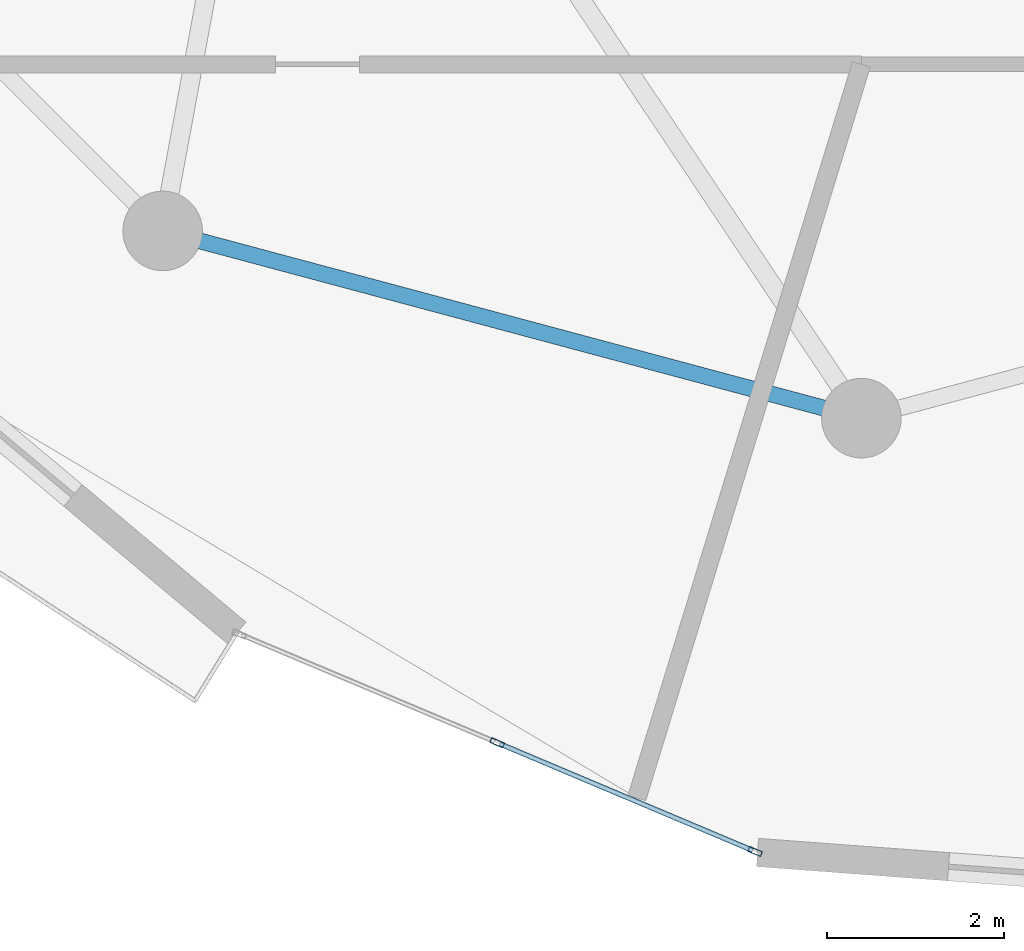
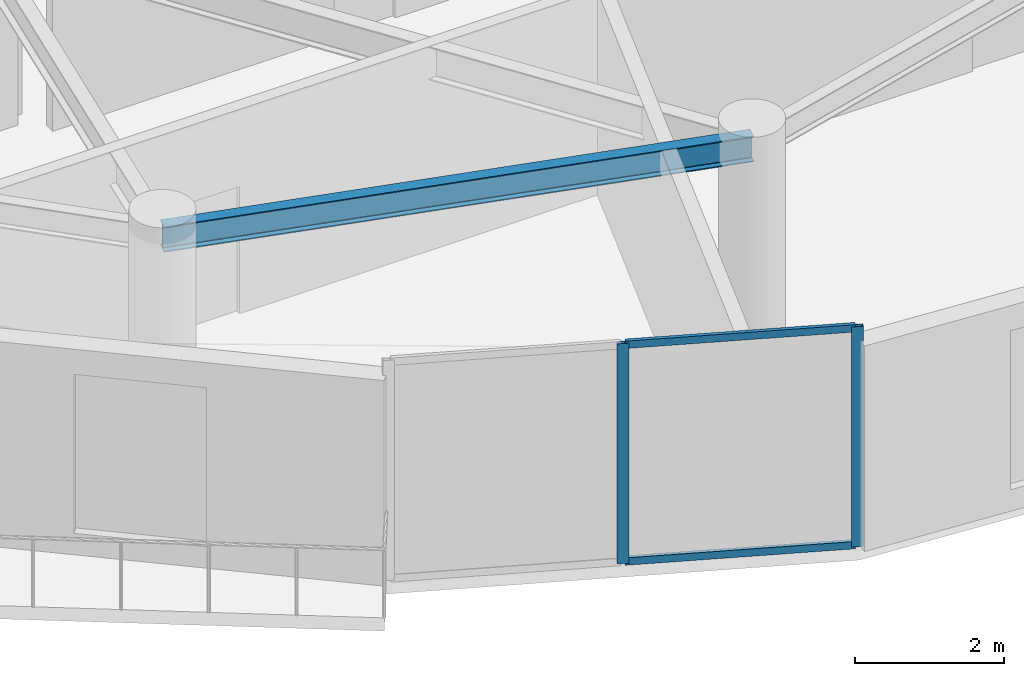
# One storey, part 3 of 18: 4 members, 1 beam, 1 element without a shape of its own.
"""IFC4 building model written with IfcOpenShell, lengths in metres."""

from ifc_helpers import new_model, si_unit, direction, frame, origin, origin_2d, place, context, subcontext, project, spatial, hollow_rectangle, i_section, extrude, source, transform, mapped, material, layer, layer_set, material_profile, profile_set, type_object, element, aggregate, save


model = new_model("IFC4")

# Units and contexts
model_context = context("Model", 3, precision=1e-05, world=origin(), true_north=direction((0.0, 1.0)))
body_context = subcontext(model_context, "Body", "Model", "MODEL_VIEW")
ifc_project = project(units=[si_unit("LENGTHUNIT", "METRE"), si_unit("AREAUNIT", "SQUARE_METRE"), si_unit("VOLUMEUNIT", "CUBIC_METRE"), si_unit("PLANEANGLEUNIT", "RADIAN"), si_unit("MASSUNIT", "GRAM", prefix="KILO")], contexts=[model_context])

# Site, building, storey
site_placement = place(None, origin())
site = spatial("IfcSite", under=ifc_project, at=site_placement, CompositionType="ELEMENT")
building_placement = place(site_placement, origin())
building = spatial("IfcBuilding", under=site, at=building_placement, Name="Solvirekh Grand Hotel", CompositionType="ELEMENT")
storey_placement = place(building_placement, frame((0.0, 0.0, 202.0)))
storey = spatial("IfcBuildingStorey", under=building, at=storey_placement, Name="L52", CompositionType="ELEMENT", Elevation=202.0)

# Beam
ifc_material_1 = material(Name="Steel S355", Category="steel")
ifc_material_profile_1 = material_profile(ifc_material_1, i_section(OverallWidth=0.180908203125, OverallDepth=0.4169921875, WebThickness=0.010009765625, FlangeThickness=0.01611328125, FilletRadius=0.011962890625, at=origin_2d()), Name="W410X85")
ifc_profile_set_1 = profile_set([ifc_material_profile_1], Name="Steel S355")
beam_type = type_object("IfcBeamType", Name="Spandrel_Ring_W410", PredefinedType="SPANDREL", material=ifc_profile_set_1)
beam_placement = place(storey_placement, frame((-7.89990234375, -13.68310546875, 3.152099609375), z_axis=(0.965920601923, -0.258838541915, 0.0), x_axis=(0.258838541915, 0.965920601923, 0.0)))
element("IfcBeam", 1, at=beam_placement, inside=storey, type_object=beam_type, Name="L52 perimeter spandrel beam 9", PredefinedType="SPANDREL", context=body_context, shape_type="SweptSolid", body=[
    extrude(i_section(OverallWidth=0.180908203125, OverallDepth=0.4169921875, WebThickness=0.010009765625, FlangeThickness=0.01611328125, FilletRadius=0.011962890625, at=origin_2d()), origin(), (0.0, 0.0, 1.0), 8.1787109375),
])

# Curtain wall, members
ifc_material_2 = material(Name="Anodized Bronze Aluminium 6063-T6", Category="aluminium")
ifc_layer = layer(ifc_material_2, 0.159912109375)
ifc_layer_set = layer_set([ifc_layer], Name="Anodized Bronze Aluminium 6063-T6")
curtain_wall_type = type_object("IfcCurtainWallType", Name="CW_Sys4_HighZoneFlushBronzeCW", PredefinedType="NOTDEFINED", material=ifc_layer_set)
curtain_wall_placement = place(storey_placement, origin())
curtain_wall = element("IfcCurtainWall", 2, at=curtain_wall_placement, inside=storey, type_object=curtain_wall_type, Name="L52 unitised bronze-glass curtain wall CW-L52-C18", PredefinedType="NOTDEFINED")
ifc_material_profile_2 = material_profile(ifc_material_2, hollow_rectangle(XDim=0.06005859375, YDim=0.159912109375, WallThickness=0.0048828125, at=origin_2d()), Name="ALU RHS 160X60X5")
ifc_profile_set_2 = profile_set([ifc_material_profile_2], Name="Anodized Bronze Aluminium 6063-T6")
member_type_1 = type_object("IfcMemberType", Name="CWMullion_Sys4", PredefinedType="MULLION", material=ifc_profile_set_2)
shared_shape_1 = source(origin(), body_context, "Body", "SweptSolid", [
    extrude(hollow_rectangle(XDim=0.06005859375, YDim=0.159912109375, WallThickness=0.0048828125, at=origin_2d()), origin(), (0.0, 0.0, 1.0), 3.60009765625),
])
member_1_placement = place(storey_placement, frame((-4.117431640625, -19.469970703125, 0.0), z_axis=(0.0, 0.0, 1.0), x_axis=(0.388490802791, 0.92145260114, 0.0)))
member_1 = element("IfcMember", 3, at=member_1_placement, type_object=member_type_1, Name="U04 mullion 2", PredefinedType="MULLION", context=body_context, shape_type="MappedRepresentation", body=[
    mapped(shared_shape_1, transform((0.0, 0.0, 0.0), x_axis=(1.0, 0.0, 0.0), y_axis=(0.0, 1.0, 0.0), z_axis=(0.0, 0.0, 1.0), scale=1.0)),
])
member_2_placement = place(storey_placement, frame((-1.20166015625, -20.699462890625, 0.0), z_axis=(0.0, 0.0, 1.0), x_axis=(0.388490802791, 0.92145260114, 0.0)))
member_2 = element("IfcMember", 4, at=member_2_placement, type_object=member_type_1, Name="U04 mullion 3", PredefinedType="MULLION", context=body_context, shape_type="MappedRepresentation", body=[
    mapped(shared_shape_1, transform((0.0, 0.0, 0.0), x_axis=(1.0, 0.0, 0.0), y_axis=(0.0, 1.0, 0.0), z_axis=(0.0, 0.0, 1.0), scale=1.0)),
])
ifc_material_profile_3 = material_profile(ifc_material_2, hollow_rectangle(XDim=0.054931640625, YDim=0.1201171875, WallThickness=0.00390625, at=origin_2d()), Name="ALU RHS 120X55X4")
ifc_profile_set_3 = profile_set([ifc_material_profile_3], Name="Anodized Bronze Aluminium 6063-T6")
member_type_2 = type_object("IfcMemberType", Name="CWTransom_Sys4", PredefinedType="USERDEFINED", material=ifc_profile_set_3)
shared_shape_2 = source(origin(), body_context, "Body", "SweptSolid", [
    extrude(hollow_rectangle(XDim=0.054931640625, YDim=0.1201171875, WallThickness=0.00390625, at=origin_2d()), origin(), (0.0, 0.0, 1.0), 3.1044921875),
])
member_3_placement = place(storey_placement, frame((-4.08984375, -19.481689453125, 0.027587890625), z_axis=(0.921451711672, -0.388492912491, 0.0), x_axis=(0.388492912491, 0.921451711672, 0.0)))
member_3 = element("IfcMember", 5, at=member_3_placement, type_object=member_type_2, Name="U04 transom 2.1", ObjectType="TRANSOM", PredefinedType="USERDEFINED", context=body_context, shape_type="MappedRepresentation", body=[
    mapped(shared_shape_2, transform((0.0, 0.0, 0.0), x_axis=(1.0, 0.0, 0.0), y_axis=(0.0, 1.0, 0.0), z_axis=(0.0, 0.0, 1.0), scale=1.0)),
])
member_4_placement = place(storey_placement, frame((-4.08984375, -19.481689453125, 3.572509765625), z_axis=(0.921451711672, -0.388492912491, 0.0), x_axis=(0.388492912491, 0.921451711672, 0.0)))
member_4 = element("IfcMember", 6, at=member_4_placement, type_object=member_type_2, Name="U04 transom 2.2", ObjectType="TRANSOM", PredefinedType="USERDEFINED", context=body_context, shape_type="MappedRepresentation", body=[
    mapped(shared_shape_2, transform((0.0, 0.0, 0.0), x_axis=(1.0, 0.0, 0.0), y_axis=(0.0, 1.0, 0.0), z_axis=(0.0, 0.0, 1.0), scale=1.0)),
])
aggregate(curtain_wall, [member_1, member_2, member_3, member_4])

save(model, "model.ifc")
